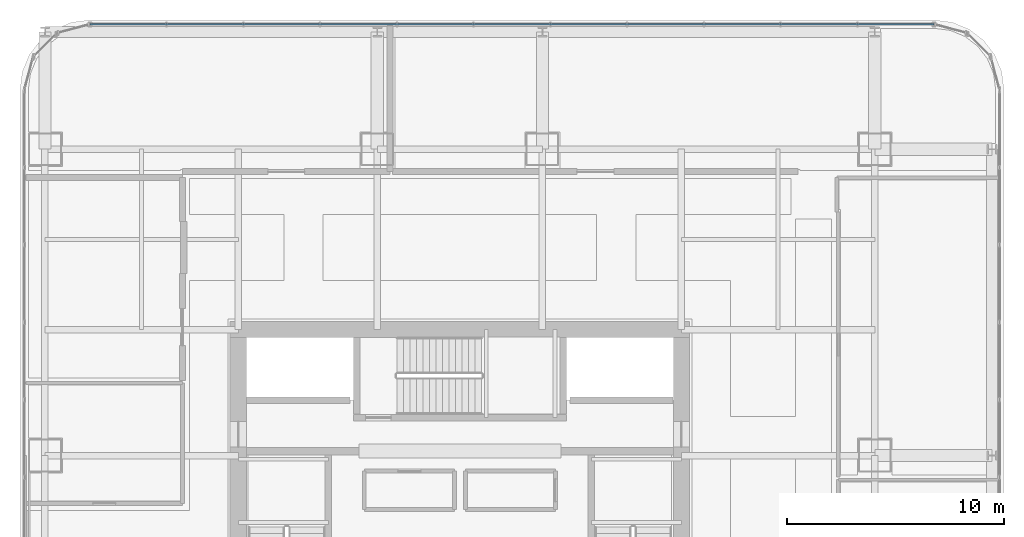
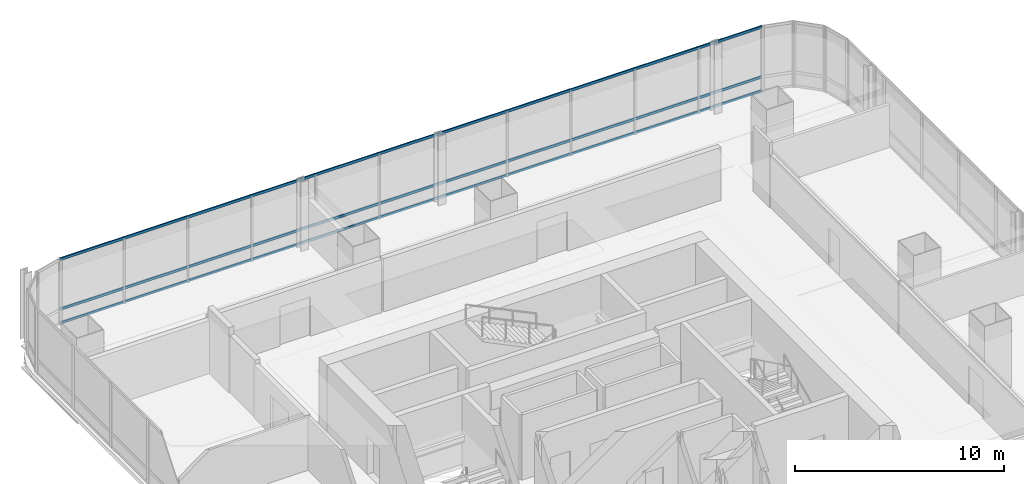
# One storey, part 22 of 34: 3 members, 1 element without a shape of its own.
"""IFC4 building model written with IfcOpenShell, lengths in metres."""

from ifc_helpers import new_model, si_unit, direction, frame, origin, origin_2d, place, context, subcontext, project, spatial, hollow_rectangle, extrude, material, material_profile, profile_set, type_object, element, aggregate, save


model = new_model("IFC4")

# Units and contexts
model_context = context("Model", 3, precision=1e-05, world=origin(), true_north=direction((0.0, 1.0)))
body_context = subcontext(model_context, "Body", "Model", "MODEL_VIEW")
ifc_project = project(units=[si_unit("LENGTHUNIT", "METRE"), si_unit("AREAUNIT", "SQUARE_METRE"), si_unit("VOLUMEUNIT", "CUBIC_METRE"), si_unit("PLANEANGLEUNIT", "RADIAN"), si_unit("MASSUNIT", "GRAM", prefix="KILO")], contexts=[model_context])

# Site, building, storey
site_placement = place(None, origin())
site = spatial("IfcSite", under=ifc_project, at=site_placement, CompositionType="ELEMENT")
building_placement = place(site_placement, origin())
building = spatial("IfcBuilding", under=site, at=building_placement, Name="Punatoya Terracotta Tower", CompositionType="ELEMENT")
storey_placement = place(building_placement, frame((0.0, 0.0, 97.050048828125)))
storey = spatial("IfcBuildingStorey", under=building, at=storey_placement, Name="L22", CompositionType="ELEMENT", Elevation=97.050048828125)

# Curtain wall, members
ifc_material_1 = material(Name="Aluminium 6063-T6 + Double Low-E Glass", Category="aluminium")
curtain_wall_type = type_object("IfcCurtainWallType", Name="CW-M1", PredefinedType="NOTDEFINED", material=ifc_material_1)
curtain_wall_placement = place(storey_placement, origin())
curtain_wall = element("IfcCurtainWall", 1, at=curtain_wall_placement, inside=storey, type_object=curtain_wall_type, Name="L22 Curtain Wall CW-L22-N09-1", PredefinedType="NOTDEFINED")
ifc_material_2 = material(Name="Aluminium 6063-T6", Category="aluminium")
ifc_material_profile = material_profile(ifc_material_2, hollow_rectangle(XDim=0.068115234375, YDim=0.14990234375, WallThickness=0.00390625, at=origin_2d()))
ifc_profile_set = profile_set([ifc_material_profile], Name="Aluminium 6063-T6")
member_type = type_object("IfcMemberType", Name="CW-TRN-TYP", PredefinedType="USERDEFINED", material=ifc_profile_set)
member_1_placement = place(storey_placement, frame((21.8369140625, 23.25, 0.0400390625), z_axis=(-1.0, 0.0, 0.0), x_axis=(0.0, -1.0, 0.0)))
member_1 = element("IfcMember", 2, at=member_1_placement, type_object=member_type, Name="CW-L22-N09-1 Transom 1", ObjectType="TRANSOM", PredefinedType="USERDEFINED", context=body_context, shape_type="SweptSolid", body=[
    extrude(hollow_rectangle(XDim=0.068115234375, YDim=0.14990234375, WallThickness=0.00390625, at=origin_2d()), origin(), (0.0, 0.0, 1.0), 38.873779296875),
])
member_2_placement = place(storey_placement, frame((21.8369140625, 23.25, 0.849853515625), z_axis=(-1.0, 0.0, 0.0), x_axis=(0.0, -1.0, 0.0)))
member_2 = element("IfcMember", 3, at=member_2_placement, type_object=member_type, Name="CW-L22-N09-1 Transom 2", ObjectType="TRANSOM", PredefinedType="USERDEFINED", context=body_context, shape_type="SweptSolid", body=[
    extrude(hollow_rectangle(XDim=0.068115234375, YDim=0.14990234375, WallThickness=0.00390625, at=origin_2d()), origin(), (0.0, 0.0, 1.0), 38.873779296875),
])
member_3_placement = place(storey_placement, frame((21.8369140625, 23.25, 3.77001953125), z_axis=(-1.0, 0.0, 0.0), x_axis=(0.0, -1.0, 0.0)))
member_3 = element("IfcMember", 4, at=member_3_placement, type_object=member_type, Name="CW-L22-N09-1 Transom 3", ObjectType="TRANSOM", PredefinedType="USERDEFINED", context=body_context, shape_type="SweptSolid", body=[
    extrude(hollow_rectangle(XDim=0.068115234375, YDim=0.14990234375, WallThickness=0.00390625, at=origin_2d()), origin(), (0.0, 0.0, 1.0), 38.873779296875),
])
aggregate(curtain_wall, [member_1, member_2, member_3])

save(model, "model.ifc")
